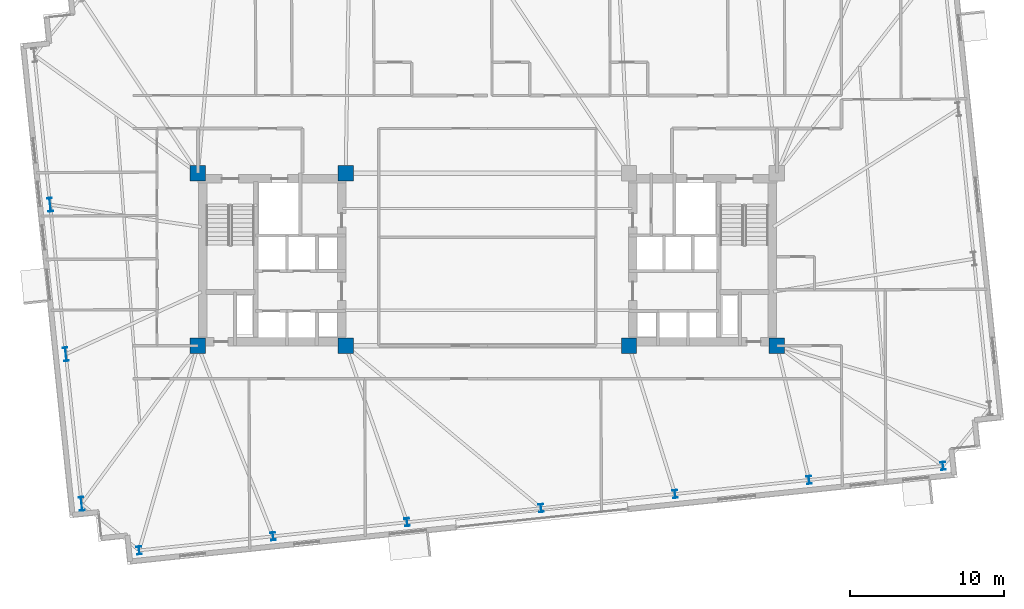
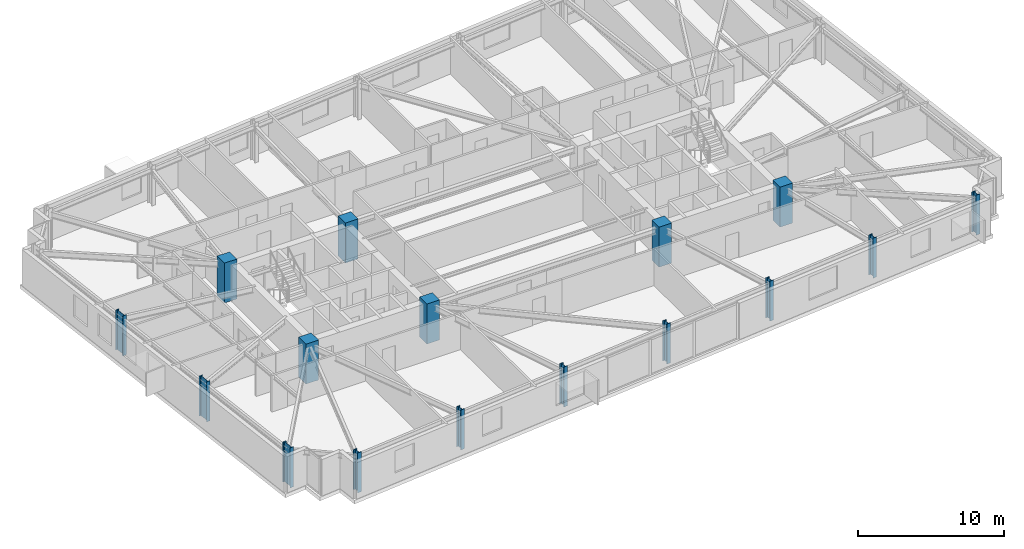
# One storey, part 1 of 22: 16 columns.
"""IFC4 building model written with IfcOpenShell, lengths in metres."""

from ifc_helpers import new_model, si_unit, direction, frame, origin, origin_2d, place, context, subcontext, project, spatial, rectangle, i_section, extrude, material, material_profile, profile_set, type_object, element, save


model = new_model("IFC4")

# Units and contexts
model_context = context("Model", 3, precision=1e-05, world=origin(), true_north=direction((0.0, 1.0)))
body_context = subcontext(model_context, "Body", "Model", "MODEL_VIEW")
ifc_project = project(units=[si_unit("LENGTHUNIT", "METRE"), si_unit("AREAUNIT", "SQUARE_METRE"), si_unit("VOLUMEUNIT", "CUBIC_METRE"), si_unit("PLANEANGLEUNIT", "RADIAN"), si_unit("MASSUNIT", "GRAM", prefix="KILO")], contexts=[model_context])

# Site, building, storey
site_placement = place(None, origin())
site = spatial("IfcSite", under=ifc_project, at=site_placement, CompositionType="ELEMENT")
building_placement = place(site_placement, origin())
building = spatial("IfcBuilding", under=site, at=building_placement, Name="Qobustan Lattice House", CompositionType="ELEMENT")
storey_placement = place(building_placement, frame((0.0, 0.0, 99.10009765625)))
storey = spatial("IfcBuildingStorey", under=building, at=storey_placement, Name="L27", CompositionType="ELEMENT", Elevation=99.10009765625)

# Columns
ifc_material_1 = material(Name="Concrete C60/75", Category="concrete")
ifc_material_profile_1 = material_profile(ifc_material_1, rectangle(XDim=1.0, YDim=1.0, at=origin_2d()), Name="RC1000x1000")
ifc_profile_set_1 = profile_set([ifc_material_profile_1], Name="Concrete C60/75")
column_type_1 = type_object("IfcColumnType", Name="COL-RC-1000", PredefinedType="COLUMN", material=ifc_profile_set_1)
for number, where, z_axis, x_axis, name in (
    (1, (-18.800048828125, -5.60009765625, 0.0), (0.0, 0.0, 1.0), (1.0, 0.0, 0.0), "L27 core mega-column CW-SW"),
    (2, (-18.800048828125, 5.60009765625, 0.0), (0.0, 0.0, 1.0), (1.0, 0.0, 0.0), "L27 core mega-column CW-NW"),
    (3, (-9.199951171875, -5.60009765625, 0.0), (0.0, 0.0, 1.0), (1.0, 0.0, 0.0), "L27 core mega-column CW-SE"),
    (4, (-9.199951171875, 5.60009765625, 0.0), (0.0, 0.0, 1.0), (1.0, 0.0, 0.0), "L27 core mega-column CW-NE"),
    (5, (9.199951171875, -5.60009765625, 0.0), (0.0, 0.0, 1.0), (1.0, 0.0, 0.0), "L27 core mega-column CE-SW"),
    (6, (18.800048828125, -5.60009765625, 0.0), (0.0, 0.0, 1.0), (1.0, 0.0, 0.0), "L27 core mega-column CE-SE"),
):
    element("IfcColumn", number, at=place(storey_placement, frame(where, z_axis=z_axis, x_axis=x_axis)), inside=storey, type_object=column_type_1, Name=name, PredefinedType="COLUMN", context=body_context, shape_type="SweptSolid", body=[
        extrude(rectangle(XDim=1.0, YDim=1.0, at=origin_2d()), origin(), (0.0, 0.0, 1.0), 3.349853515625),
    ])
ifc_material_2 = material(Name="Steel S355", Category="steel")
ifc_material_profile_2 = material_profile(ifc_material_2, i_section(OverallWidth=0.300048828125, OverallDepth=0.89990234375, WebThickness=0.0185546875, FlangeThickness=0.034912109375, FilletRadius=0.030029296875, at=origin_2d()), Name="HEB900")
ifc_profile_set_2 = profile_set([ifc_material_profile_2], Name="Steel S355")
column_type_2 = type_object("IfcColumnType", Name="COL-ST-HEB900", PredefinedType="COLUMN", material=ifc_profile_set_2)
for number, where, z_axis, x_axis, name in (
    (7, (-28.39794921875, 3.557373046875, 0.0), (0.0, 0.0, 1.0), (0.994521895368, 0.104528463268, 0.0), "L27 B2 perimeter column W2"),
    (8, (-27.377197265625, -6.156005859375, 0.0), (0.0, 0.0, 1.0), (0.994521895368, 0.104528463268, 0.0), "L27 B2 perimeter column W3"),
    (9, (-26.356201171875, -15.868896484375, 0.0), (0.0, 0.0, 1.0), (0.994521895368, 0.104528463268, 0.0), "L27 B2 perimeter column W4"),
):
    element("IfcColumn", number, at=place(storey_placement, frame(where, z_axis=z_axis, x_axis=x_axis)), inside=storey, type_object=column_type_2, Name=name, PredefinedType="COLUMN", context=body_context, shape_type="SweptSolid", body=[
        extrude(i_section(OverallWidth=0.300048828125, OverallDepth=0.89990234375, WebThickness=0.0185546875, FlangeThickness=0.034912109375, FilletRadius=0.030029296875, at=origin_2d()), origin(), (0.0, 0.0, 1.0), 3.349853515625),
    ])
ifc_material_3 = material(Name="Steel S355", Category="steel")
ifc_material_profile_3 = material_profile(ifc_material_3, i_section(OverallWidth=0.305908203125, OverallDepth=0.52392578125, WebThickness=0.02099609375, FlangeThickness=0.0400390625, FilletRadius=0.027099609375, at=origin_2d()), Name="HEM500")
ifc_profile_set_3 = profile_set([ifc_material_profile_3], Name="Steel S355")
column_type_3 = type_object("IfcColumnType", Name="COL-ST-HEM500", PredefinedType="COLUMN", material=ifc_profile_set_3)
for number, where, z_axis, x_axis, name in (
    (10, (-22.619384765625, -18.89501953125, 0.0), (0.0, 0.0, 1.0), (0.994521895368, 0.104528463268, 0.0), "L27 B2 perimeter column S1"),
    (11, (-13.91748046875, -17.98046875, 0.0), (0.0, 0.0, 1.0), (0.994521895368, 0.104528463268, 0.0), "L27 B2 perimeter column S2"),
    (12, (-5.21533203125, -17.065673828125, 0.0), (0.0, 0.0, 1.0), (0.994521895368, 0.104528463268, 0.0), "L27 B2 perimeter column S3"),
    (13, (3.48681640625, -16.151123046875, 0.0), (0.0, 0.0, 1.0), (0.994521895368, 0.104528463268, 0.0), "L27 B2 perimeter column S4"),
    (14, (12.188720703125, -15.236572265625, 0.0), (0.0, 0.0, 1.0), (0.994521895368, 0.104528463268, 0.0), "L27 B2 perimeter column S5"),
    (15, (20.890869140625, -14.322021484375, 0.0), (0.0, 0.0, 1.0), (0.994521895368, 0.104528463268, 0.0), "L27 B2 perimeter column S6"),
    (16, (29.593017578125, -13.4072265625, 0.0), (0.0, 0.0, 1.0), (0.994521895368, 0.104528463268, 0.0), "L27 B2 perimeter column S7"),
):
    element("IfcColumn", number, at=place(storey_placement, frame(where, z_axis=z_axis, x_axis=x_axis)), inside=storey, type_object=column_type_3, Name=name, PredefinedType="COLUMN", context=body_context, shape_type="SweptSolid", body=[
        extrude(i_section(OverallWidth=0.305908203125, OverallDepth=0.52392578125, WebThickness=0.02099609375, FlangeThickness=0.0400390625, FilletRadius=0.027099609375, at=origin_2d()), origin(), (0.0, 0.0, 1.0), 3.349853515625),
    ])

save(model, "model.ifc")
